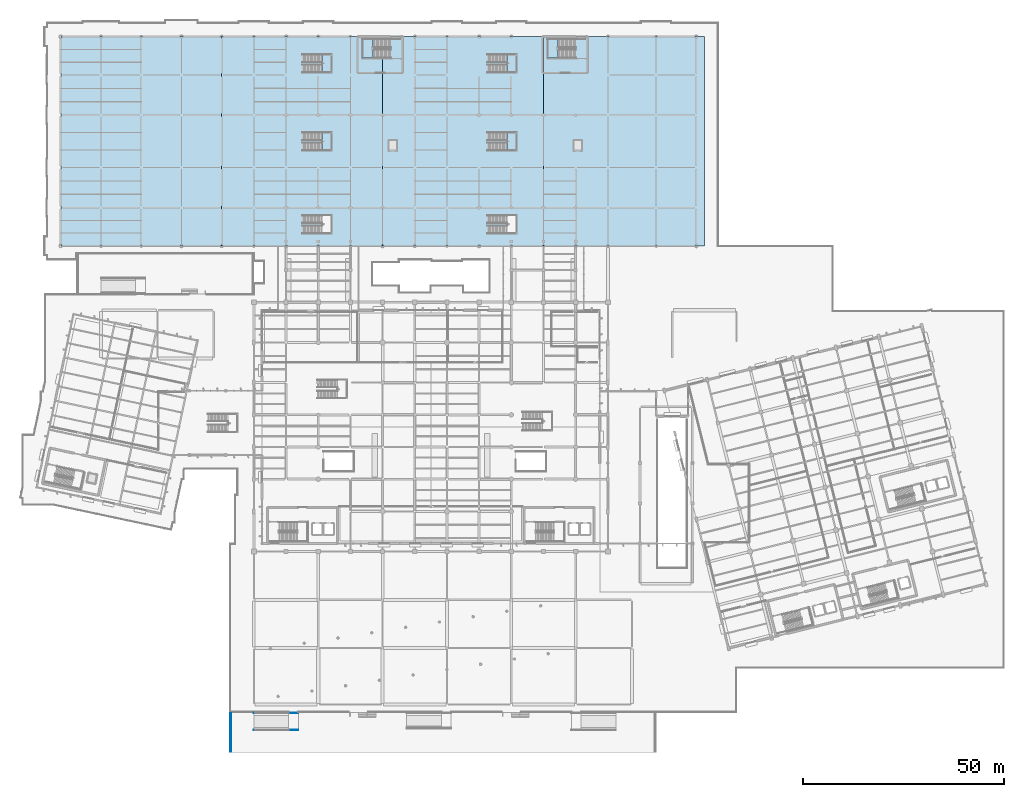
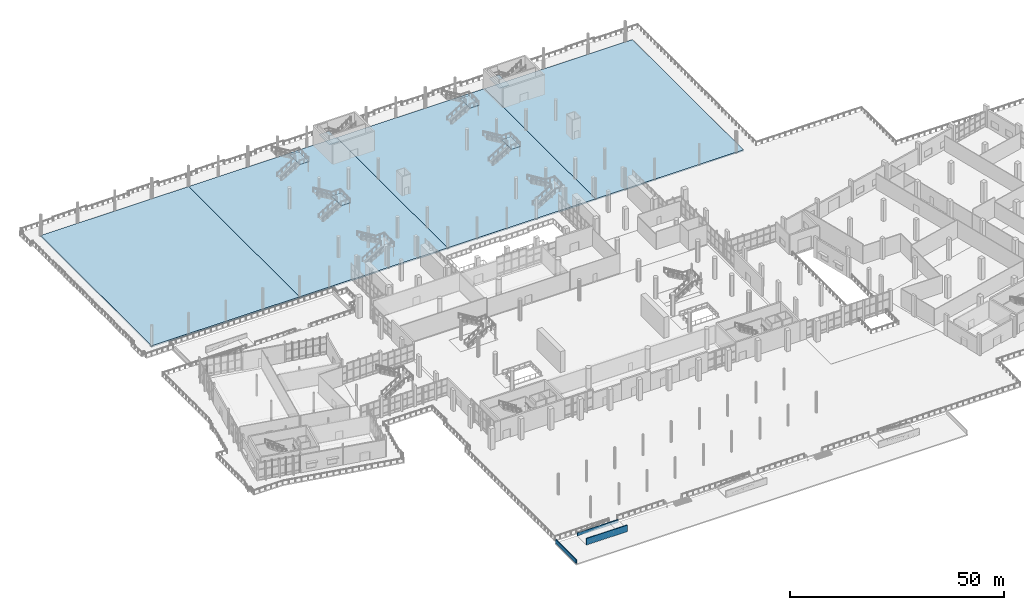
# One storey, part 121 of 163: 10 slabs, 3 walls, 6 elements without a shape of their own.
"""IFC4 building model written with IfcOpenShell, lengths in metres."""

from ifc_helpers import new_model, si_unit, direction, frame, frame_2d, origin, place, context, subcontext, project, spatial, polyline, rectangle, outline, extrude, material, layer, layer_set, type_object, element, aggregate, save


model = new_model("IFC4")

# Units and contexts
model_context = context("Model", 3, precision=1e-05, world=origin(), true_north=direction((0.0, 1.0)))
body_context = subcontext(model_context, "Body", "Model", "MODEL_VIEW")
ifc_project = project(units=[si_unit("LENGTHUNIT", "METRE"), si_unit("AREAUNIT", "SQUARE_METRE"), si_unit("VOLUMEUNIT", "CUBIC_METRE"), si_unit("PLANEANGLEUNIT", "RADIAN"), si_unit("MASSUNIT", "GRAM", prefix="KILO")], contexts=[model_context])

# Site, building, storey
site_placement = place(None, origin())
site = spatial("IfcSite", under=ifc_project, at=site_placement, CompositionType="ELEMENT")
building_placement = place(site_placement, origin())
building = spatial("IfcBuilding", under=site, at=building_placement, Name="Khorjan Park Terminus", CompositionType="ELEMENT")
storey_placement = place(building_placement, origin())
storey = spatial("IfcBuildingStorey", under=building, at=storey_placement, Name="L00", CompositionType="ELEMENT", Elevation=0.0)

# Slabs
ifc_material_1 = material(Name="Concrete C40/50", Category="concrete")
ifc_layer_1 = layer(ifc_material_1, 0.38)
ifc_layer_set_1 = layer_set([ifc_layer_1], Name="Concrete C40/50")
slab_type_1 = type_object("IfcSlabType", Name="SL-FLR-380", PredefinedType="FLOOR", material=ifc_layer_set_1)
slab_1_placement = place(storey_placement, frame((0.0, 0.0, -0.38)))
element("IfcSlab", 1, at=slab_1_placement, inside=storey, type_object=slab_type_1, Name="Structural floor slab FS-38 (L00-V1-4)", PredefinedType="FLOOR", context=body_context, shape_type="SweptSolid", body=[
    extrude(outline(polyline([(120.0, 154.0), (160.0, 154.0), (160.0, 102.0), (120.0, 102.0), (120.0, 154.0)])), origin(), (0.0, 0.0, 1.0), 0.38),
])
ifc_layer_2 = layer(ifc_material_1, 0.4)
ifc_layer_set_2 = layer_set([ifc_layer_2], Name="Concrete C40/50")
slab_type_2 = type_object("IfcSlabType", Name="SL-FLR-400", PredefinedType="FLOOR", material=ifc_layer_set_2)
slab_2_placement = place(storey_placement, frame((0.0, 0.0, -0.4)))
element("IfcSlab", 2, at=slab_2_placement, inside=storey, type_object=slab_type_2, Name="Structural floor slab FS-40 (L00-V1-2)", PredefinedType="FLOOR", context=body_context, shape_type="SweptSolid", body=[
    extrude(outline(polyline([(40.0, 154.0), (80.0, 154.0), (80.0, 102.0), (40.0, 102.0), (40.0, 154.0)])), origin(), (0.0, 0.0, 1.0), 0.4),
])
slab_3_placement = place(storey_placement, frame((0.0, 0.0, -0.4)))
element("IfcSlab", 3, at=slab_3_placement, inside=storey, type_object=slab_type_2, Name="Structural floor slab FS-40 (L00-V1-3)", PredefinedType="FLOOR", context=body_context, shape_type="SweptSolid", body=[
    extrude(outline(polyline([(80.0, 154.0), (120.0, 154.0), (120.0, 102.0), (80.0, 102.0), (80.0, 154.0)])), origin(), (0.0, 0.0, 1.0), 0.4),
])
ifc_layer_3 = layer(ifc_material_1, 0.42)
ifc_layer_set_3 = layer_set([ifc_layer_3], Name="Concrete C40/50")
slab_type_3 = type_object("IfcSlabType", Name="SL-FLR-420", PredefinedType="FLOOR", material=ifc_layer_set_3)
slab_4_placement = place(storey_placement, frame((0.0, 0.0, -0.42)))
element("IfcSlab", 4, at=slab_4_placement, inside=storey, type_object=slab_type_3, Name="Structural floor slab FS-42 (L00-V1-1)", PredefinedType="FLOOR", context=body_context, shape_type="SweptSolid", body=[
    extrude(outline(polyline([(0.0, 154.0), (40.0, 154.0), (40.0, 102.0), (0.0, 102.0), (0.0, 154.0)])), origin(), (0.0, 0.0, 1.0), 0.42),
])

# Stair, slab
stair_type_1 = type_object("IfcStairType", Name="STR-CORE-220", PredefinedType="HALF_TURN_STAIR", material=ifc_material_1)
stair_1_placement = place(storey_placement, origin())
stair_1 = element("IfcStair", 5, at=stair_1_placement, inside=storey, type_object=stair_type_1, Name="L00 West Transfer Bridge Exit Core exit stair ST-06", PredefinedType="HALF_TURN_STAIR")
ifc_layer_4 = layer(ifc_material_1, 0.2)
ifc_layer_set_4 = layer_set([ifc_layer_4], Name="Concrete C40/50")
slab_type_4 = type_object("IfcSlabType", Name="SL-LND-200", PredefinedType="LANDING", material=ifc_layer_set_4)
slab_5_placement = place(storey_placement, frame((0.0, 0.0, 2.8)))
slab_5 = element("IfcSlab", 6, at=slab_5_placement, type_object=slab_type_4, Name="ST-06 landing 1", PredefinedType="LANDING", context=body_context, shape_type="SweptSolid", body=[
    extrude(outline(polyline([(77.595, 153.45), (75.0, 153.45), (75.0, 148.69), (77.595, 148.69), (77.595, 153.45)])), origin(), (0.0, 0.0, 1.0), 0.2),
])
aggregate(stair_1, [slab_5])

stair_2_placement = place(storey_placement, origin())
stair_2 = element("IfcStair", 7, at=stair_2_placement, inside=storey, type_object=stair_type_1, Name="L00 East Transfer Bridge Exit Core exit stair ST-07", PredefinedType="HALF_TURN_STAIR")
slab_6_placement = place(storey_placement, frame((0.0, 0.0, 2.8)))
slab_6 = element("IfcSlab", 8, at=slab_6_placement, type_object=slab_type_4, Name="ST-07 landing 1", PredefinedType="LANDING", context=body_context, shape_type="SweptSolid", body=[
    extrude(outline(polyline([(123.595, 153.45), (121.0, 153.45), (121.0, 148.69), (123.595, 148.69), (123.595, 153.45)])), origin(), (0.0, 0.0, 1.0), 0.2),
])
aggregate(stair_2, [slab_6])

stair_type_2 = type_object("IfcStairType", Name="STR-PUB-200", PredefinedType="HALF_TURN_STAIR", material=ifc_material_1)
stair_3_placement = place(storey_placement, origin())
stair_3 = element("IfcStair", 9, at=stair_3_placement, inside=storey, type_object=stair_type_2, Name="Public passenger half-turn stair PS-03", PredefinedType="HALF_TURN_STAIR")
slab_7_placement = place(storey_placement, frame((0.0, 0.0, 2.8)))
slab_7 = element("IfcSlab", 10, at=slab_7_placement, type_object=slab_type_4, Name="Stair PS-03 intermediate half-landing LS-20", PredefinedType="LANDING", context=body_context, shape_type="SweptSolid", body=[
    extrude(outline(polyline([(64.915, 125.66), (67.38, 125.66), (67.38, 130.24), (64.915, 130.24), (64.915, 125.66)])), origin(), (0.0, 0.0, 1.0), 0.2),
])
aggregate(stair_3, [slab_7])

stair_4_placement = place(storey_placement, origin())
stair_4 = element("IfcStair", 11, at=stair_4_placement, inside=storey, type_object=stair_type_2, Name="Public passenger half-turn stair PS-04", PredefinedType="HALF_TURN_STAIR")
slab_8_placement = place(storey_placement, frame((0.0, 0.0, 2.8)))
slab_8 = element("IfcSlab", 12, at=slab_8_placement, type_object=slab_type_4, Name="Stair PS-04 intermediate half-landing LS-20", PredefinedType="LANDING", context=body_context, shape_type="SweptSolid", body=[
    extrude(outline(polyline([(110.915, 125.66), (113.38, 125.66), (113.38, 130.24), (110.915, 130.24), (110.915, 125.66)])), origin(), (0.0, 0.0, 1.0), 0.2),
])
aggregate(stair_4, [slab_8])

stair_5_placement = place(storey_placement, origin())
stair_5 = element("IfcStair", 13, at=stair_5_placement, inside=storey, type_object=stair_type_2, Name="Public passenger half-turn stair PS-05", PredefinedType="HALF_TURN_STAIR")
slab_9_placement = place(storey_placement, frame((0.0, 0.0, 2.8)))
slab_9 = element("IfcSlab", 14, at=slab_9_placement, type_object=slab_type_4, Name="Stair PS-05 intermediate half-landing LS-20", PredefinedType="LANDING", context=body_context, shape_type="SweptSolid", body=[
    extrude(outline(polyline([(64.915, 145.06), (67.38, 145.06), (67.38, 149.64), (64.915, 149.64), (64.915, 145.06)])), origin(), (0.0, 0.0, 1.0), 0.2),
])
aggregate(stair_5, [slab_9])

stair_6_placement = place(storey_placement, origin())
stair_6 = element("IfcStair", 15, at=stair_6_placement, inside=storey, type_object=stair_type_2, Name="Public passenger half-turn stair PS-06", PredefinedType="HALF_TURN_STAIR")
slab_10_placement = place(storey_placement, frame((0.0, 0.0, 2.8)))
slab_10 = element("IfcSlab", 16, at=slab_10_placement, type_object=slab_type_4, Name="Stair PS-06 intermediate half-landing LS-20", PredefinedType="LANDING", context=body_context, shape_type="SweptSolid", body=[
    extrude(outline(polyline([(110.915, 145.06), (113.38, 145.06), (113.38, 149.64), (110.915, 149.64), (110.915, 145.06)])), origin(), (0.0, 0.0, 1.0), 0.2),
])
aggregate(stair_6, [slab_10])

# Walls
ifc_material_2 = material(Name="Pigmented Precast GRC & Concrete C40/50", Category="concrete")
ifc_layer_5 = layer(ifc_material_2, 0.22)
ifc_layer_set_5 = layer_set([ifc_layer_5], Name="Pigmented Precast GRC & Concrete C40/50")
wall_type = type_object("IfcWallType", Name="EW-PAR-220", PredefinedType="PARAPET", material=ifc_layer_set_5)
wall_1_placement = place(storey_placement, frame((42.21, -23.79, -0.72), z_axis=(0.0, 0.0, 1.0), x_axis=(0.0, 1.0, 0.0)))
element("IfcWall", 17, at=wall_1_placement, inside=storey, type_object=wall_type, Name="Approach apron return parapet kerb wall PW-22 (1-76)", PredefinedType="PARAPET", context=body_context, shape_type="SweptSolid", body=[
    extrude(rectangle(XDim=9.56, YDim=0.22, at=frame_2d((4.78, 0.0))), origin(), (0.0, 0.0, 1.0), 1.12),
])
wall_2_placement = place(storey_placement, frame((48.0, -18.35, -0.72), z_axis=(0.0, 0.0, 1.0), x_axis=(1.0, 0.0, 0.0)))
element("IfcWall", 18, at=wall_2_placement, inside=storey, type_object=wall_type, Name="Accessible ramp cheek wall (GRMP-S-W-S)", PredefinedType="PARAPET", context=body_context, shape_type="SweptSolid", body=[
    extrude(rectangle(XDim=11.04, YDim=0.22, at=frame_2d((5.52, 0.0))), origin(), (0.0, 0.0, 1.0), 1.86),
])
wall_3_placement = place(storey_placement, frame((48.0, -14.13, -0.72), z_axis=(0.0, 0.0, 1.0), x_axis=(1.0, 0.0, 0.0)))
element("IfcWall", 19, at=wall_3_placement, inside=storey, type_object=wall_type, Name="Accessible ramp cheek wall (GRMP-S-W-N)", PredefinedType="PARAPET", context=body_context, shape_type="SweptSolid", body=[
    extrude(rectangle(XDim=11.04, YDim=0.22, at=frame_2d((5.52, 0.0))), origin(), (0.0, 0.0, 1.0), 0.87),
])

save(model, "model.ifc")
